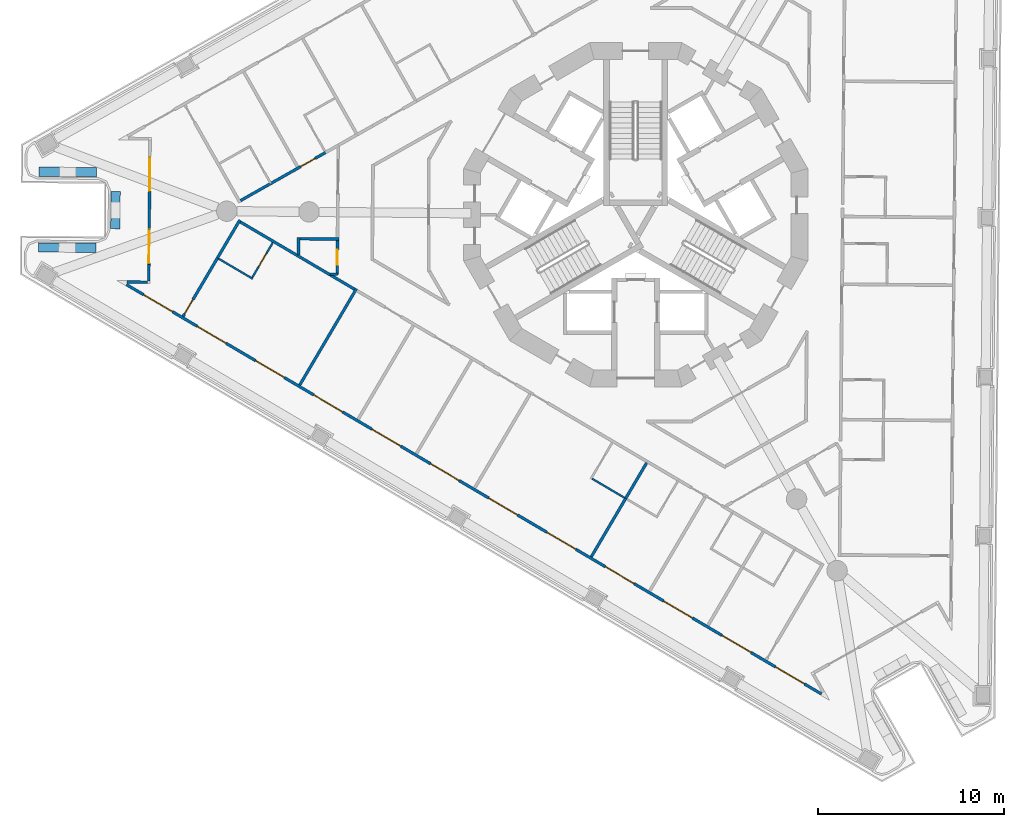
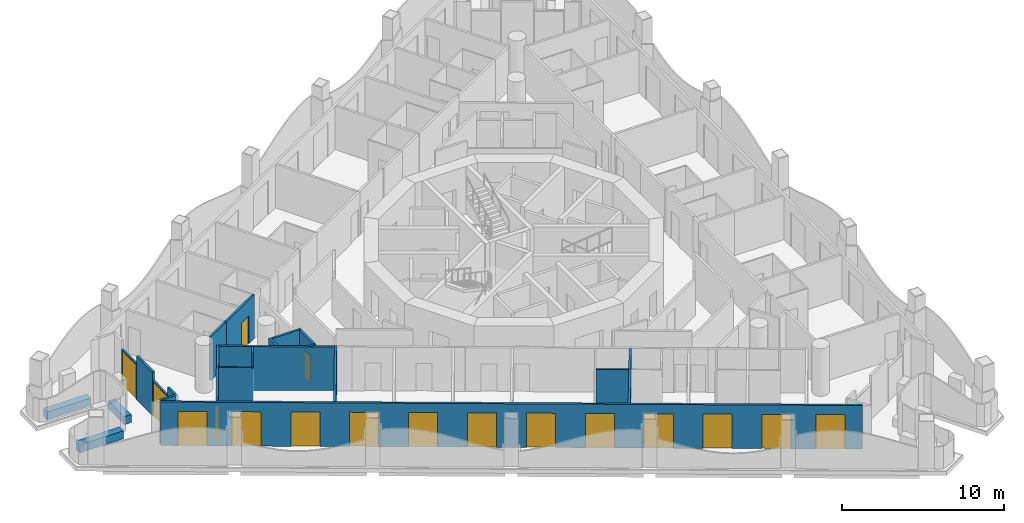
# One storey, part 2 of 17: 24 walls, 18 doors, 18 openings.
"""IFC4 building model written with IfcOpenShell, lengths in metres."""

from ifc_helpers import new_model, si_unit, direction, frame, frame_2d, origin, place, context, subcontext, project, spatial, polyline, rectangle, outline, extrude, material, layer, layer_set, type_object, element, fill, save


model = new_model("IFC4")

# Units and contexts
model_context = context("Model", 3, precision=1e-05, world=origin(), true_north=direction((0.0, 1.0)))
body_context = subcontext(model_context, "Body", "Model", "MODEL_VIEW")
ifc_project = project(units=[si_unit("LENGTHUNIT", "METRE"), si_unit("AREAUNIT", "SQUARE_METRE"), si_unit("VOLUMEUNIT", "CUBIC_METRE"), si_unit("PLANEANGLEUNIT", "RADIAN"), si_unit("MASSUNIT", "GRAM", prefix="KILO")], contexts=[model_context])

# Site, building, storey
site_placement = place(None, origin())
site = spatial("IfcSite", under=ifc_project, at=site_placement, CompositionType="ELEMENT")
building_placement = place(site_placement, origin())
building = spatial("IfcBuilding", under=site, at=building_placement, Name="Trine Commons Tower", CompositionType="ELEMENT")
storey_placement = place(building_placement, frame((0.0, 0.0, 186.300048828125)))
storey = spatial("IfcBuildingStorey", under=building, at=storey_placement, Name="L48", CompositionType="ELEMENT", Elevation=186.300048828125)

# Walls
ifc_material_1 = material(Name="Aluminium-framed insulated wall panel", Category="aluminium")
ifc_layer_1 = layer(ifc_material_1, 0.14990234375)
ifc_layer_set_1 = layer_set([ifc_layer_1], Name="Aluminium-framed insulated wall panel")
wall_type_1 = type_object("IfcWallType", Name="Glazed frame wall 150, EI 60", PredefinedType="SOLIDWALL", material=ifc_layer_set_1)
wall_1_placement = place(storey_placement, frame((52.447265625, 58.875244140625, 0.0), z_axis=(0.0, 0.0, 1.0), x_axis=(0.999962043845, -0.008712684354, 0.0)))
element("IfcWall", 1, at=wall_1_placement, inside=storey, type_object=wall_type_1, Name="Glazed frame wall R1", PredefinedType="SOLIDWALL", context=body_context, shape_type="SweptSolid", body=[
    extrude(outline(polyline([(0.1494140625, 0.074951171875), (0.1494140625, -0.074951171875), (1.235107421875, -0.074951171875), (1.235107421875, 0.074951171875), (0.1494140625, 0.074951171875)])), origin(), (0.0, 0.0, 1.0), 3.300048828125),
])
wall_2_placement = place(storey_placement, frame((53.7568359375, 58.828857421875, 0.0), z_axis=(0.0, 0.0, 1.0), x_axis=(0.008788723053, 0.999961378428, 0.0)))
element("IfcWall", 2, at=wall_2_placement, inside=storey, type_object=wall_type_1, Name="Glazed frame wall P1.1", PredefinedType="SOLIDWALL", context=body_context, shape_type="SweptSolid", body=[
    extrude(outline(polyline([(0.110107421875, -0.074951171875), (1.0, -0.074951171875), (1.0, 0.074951171875), (0.110107421875, 0.074951171875), (0.110107421875, -0.074951171875)])), origin(), (0.0, 0.0, 1.0), 3.300048828125),
])

# Wall, opening, door
wall_3_placement = place(storey_placement, frame((53.765625, 59.828857421875, 0.0), z_axis=(0.0, 0.0, 1.0), x_axis=(0.008737780017, 0.999961824872, 0.0)))
wall_3 = element("IfcWall", 3, at=wall_3_placement, inside=storey, type_object=wall_type_1, Name="Glazed frame wall P1.2", PredefinedType="SOLIDWALL", context=body_context, shape_type="SweptSolid", body=[
    extrude(outline(polyline([(0.0, -0.074951171875), (1.89990234375, -0.074951171875), (1.89990234375, 0.074951171875), (0.0, 0.074951171875), (0.0, -0.074951171875)])), origin(), (0.0, 0.0, 1.0), 2.64990234375),
])
opening_1_placement = place(wall_3_placement, frame((0.050048828125, 0.0, 0.0)))
opening_1 = element("IfcOpeningElement", 4, at=opening_1_placement, cuts=wall_3, Name="Opening BD-5P1-01", PredefinedType="OPENING", context=body_context, shape_type="SweptSolid", body=[
    extrude(rectangle(XDim=1.800048828125, YDim=2.60009765625, at=frame_2d((0.89990234375, 1.300048828125))), frame((0.0, 0.0849609375, 0.0), z_axis=(0.0, -1.0, 0.0), x_axis=(1.0, 0.0, 0.0)), (0.0, 0.0, 1.0), 0.169921875),
])
ifc_material_2 = material(Name="Anodised aluminium frame with double glazing", Category="aluminium")
door_type_1 = type_object("IfcDoorType", Name="Sliding loggia door 1800x2600", OperationType="SLIDING_TO_LEFT", PredefinedType="DOOR", material=ifc_material_2)
door_1_placement = place(opening_1_placement, origin())
door_1 = element("IfcDoor", 5, at=door_1_placement, inside=storey, type_object=door_type_1, Name="Loggia door P1 1", OperationType="SLIDING_TO_LEFT", OverallHeight=2.60009765625, OverallWidth=1.800048828125, PredefinedType="DOOR", context=body_context, shape_type="SweptSolid", body=[
    extrude(rectangle(XDim=1.800048828125, YDim=2.60009765625, at=frame_2d((0.89990234375, 1.300048828125))), frame((0.0, 0.02490234375, 0.0), z_axis=(0.0, -1.0, 0.0), x_axis=(1.0, 0.0, 0.0)), (0.0, 0.0, 1.0), 0.050048828125),
])
fill(opening_1, door_1)

# Wall
wall_4_placement = place(storey_placement, frame((53.7822265625, 61.728759765625, 0.0), z_axis=(0.0, 0.0, 1.0), x_axis=(0.008788723053, 0.999961378428, 0.0)))
element("IfcWall", 6, at=wall_4_placement, inside=storey, type_object=wall_type_1, Name="Glazed frame wall P1.3", PredefinedType="SOLIDWALL", context=body_context, shape_type="SweptSolid", body=[
    extrude(outline(polyline([(0.0, -0.074951171875), (2.0, -0.074951171875), (2.0, 0.074951171875), (0.0, 0.074951171875), (0.0, -0.074951171875)])), origin(), (0.0, 0.0, 1.0), 3.300048828125),
])

# Wall, opening, door
wall_5_placement = place(storey_placement, frame((53.7998046875, 63.728759765625, 0.0), z_axis=(0.0, 0.0, 1.0), x_axis=(0.008609292847, 0.999962939352, 0.0)))
wall_5 = element("IfcWall", 7, at=wall_5_placement, inside=storey, type_object=wall_type_1, Name="Glazed frame wall P1.4", PredefinedType="SOLIDWALL", context=body_context, shape_type="SweptSolid", body=[
    extrude(outline(polyline([(0.0, -0.074951171875), (1.89990234375, -0.074951171875), (1.89990234375, 0.074951171875), (0.0, 0.074951171875), (0.0, -0.074951171875)])), origin(), (0.0, 0.0, 1.0), 2.64990234375),
])
opening_2_placement = place(wall_5_placement, frame((0.050048828125, 0.0, 0.0)))
opening_2 = element("IfcOpeningElement", 8, at=opening_2_placement, cuts=wall_5, Name="Opening BD-5P1-02", PredefinedType="OPENING", context=body_context, shape_type="SweptSolid", body=[
    extrude(rectangle(XDim=1.800048828125, YDim=2.60009765625, at=frame_2d((0.89990234375, 1.300048828125))), frame((0.0, 0.0849609375, 0.0), z_axis=(0.0, -1.0, 0.0), x_axis=(1.0, 0.0, 0.0)), (0.0, 0.0, 1.0), 0.169921875),
])
door_2_placement = place(opening_2_placement, origin())
door_2 = element("IfcDoor", 9, at=door_2_placement, inside=storey, type_object=door_type_1, Name="Loggia door P1 2", OperationType="SLIDING_TO_LEFT", OverallHeight=2.60009765625, OverallWidth=1.800048828125, PredefinedType="DOOR", context=body_context, shape_type="SweptSolid", body=[
    extrude(rectangle(XDim=1.800048828125, YDim=2.60009765625, at=frame_2d((0.89990234375, 1.300048828125))), frame((0.0, 0.02490234375, 0.0), z_axis=(0.0, -1.0, 0.0), x_axis=(1.0, 0.0, 0.0)), (0.0, 0.0, 1.0), 0.050048828125),
])
fill(opening_2, door_2)

# Wall, openings, doors
wall_6_placement = place(storey_placement, frame((90.139404296875, 36.59716796875, 0.0), z_axis=(0.0, 0.0, 1.0), x_axis=(-0.861630336939, 0.507536365659, 0.0)))
wall_6 = element("IfcWall", 10, at=wall_6_placement, inside=storey, type_object=wall_type_1, Name="Glazed frame wall F3", PredefinedType="SOLIDWALL", context=body_context, shape_type="SweptSolid", body=[
    extrude(outline(polyline([(0.1494140625, 0.074951171875), (0.1494140625, -0.074951171875), (43.616943359375, -0.074951171875), (43.616943359375, 0.074951171875), (0.1494140625, 0.074951171875)])), origin(), (0.0, 0.0, 1.0), 3.300048828125),
])
opening_3_placement = place(wall_6_placement, frame((1.2236328125, 0.0, 0.0)))
opening_3 = element("IfcOpeningElement", 11, at=opening_3_placement, cuts=wall_6, Name="Opening BD-5F3-01", PredefinedType="OPENING", context=body_context, shape_type="SweptSolid", body=[
    extrude(rectangle(XDim=1.800048828125, YDim=2.60009765625, at=frame_2d((0.89990234375, 1.300048828125))), frame((0.0, 0.0849609375, 0.0), z_axis=(0.0, -1.0, 0.0), x_axis=(1.0, 0.0, 0.0)), (0.0, 0.0, 1.0), 0.169921875),
])
opening_4_placement = place(wall_6_placement, frame((4.57080078125, 0.0, 0.0)))
opening_4 = element("IfcOpeningElement", 12, at=opening_4_placement, cuts=wall_6, Name="Opening BD-5F3-02", PredefinedType="OPENING", context=body_context, shape_type="SweptSolid", body=[
    extrude(rectangle(XDim=1.800048828125, YDim=2.60009765625, at=frame_2d((0.89990234375, 1.300048828125))), frame((0.0, 0.0849609375, 0.0), z_axis=(0.0, -1.0, 0.0), x_axis=(1.0, 0.0, 0.0)), (0.0, 0.0, 1.0), 0.169921875),
])
opening_5_placement = place(wall_6_placement, frame((8.218017578125, 0.0, 0.0)))
opening_5 = element("IfcOpeningElement", 13, at=opening_5_placement, cuts=wall_6, Name="Opening BD-5F3-03", PredefinedType="OPENING", context=body_context, shape_type="SweptSolid", body=[
    extrude(rectangle(XDim=1.800048828125, YDim=2.60009765625, at=frame_2d((0.89990234375, 1.300048828125))), frame((0.0, 0.0849609375, 0.0), z_axis=(0.0, -1.0, 0.0), x_axis=(1.0, 0.0, 0.0)), (0.0, 0.0, 1.0), 0.169921875),
])
opening_6_placement = place(wall_6_placement, frame((11.865234375, 0.0, 0.0)))
opening_6 = element("IfcOpeningElement", 14, at=opening_6_placement, cuts=wall_6, Name="Opening BD-5F3-04", PredefinedType="OPENING", context=body_context, shape_type="SweptSolid", body=[
    extrude(rectangle(XDim=1.800048828125, YDim=2.60009765625, at=frame_2d((0.89990234375, 1.300048828125))), frame((0.0, 0.0849609375, 0.0), z_axis=(0.0, -1.0, 0.0), x_axis=(1.0, 0.0, 0.0)), (0.0, 0.0, 1.0), 0.169921875),
])
opening_7_placement = place(wall_6_placement, frame((15.512451171875, 0.0, 0.0)))
opening_7 = element("IfcOpeningElement", 15, at=opening_7_placement, cuts=wall_6, Name="Opening BD-5F3-05", PredefinedType="OPENING", context=body_context, shape_type="SweptSolid", body=[
    extrude(rectangle(XDim=1.800048828125, YDim=2.60009765625, at=frame_2d((0.89990234375, 1.300048828125))), frame((0.0, 0.0849609375, 0.0), z_axis=(0.0, -1.0, 0.0), x_axis=(1.0, 0.0, 0.0)), (0.0, 0.0, 1.0), 0.169921875),
])
opening_8_placement = place(wall_6_placement, frame((19.15966796875, 0.0, 0.0)))
opening_8 = element("IfcOpeningElement", 16, at=opening_8_placement, cuts=wall_6, Name="Opening BD-5F3-06", PredefinedType="OPENING", context=body_context, shape_type="SweptSolid", body=[
    extrude(rectangle(XDim=1.800048828125, YDim=2.60009765625, at=frame_2d((0.89990234375, 1.300048828125))), frame((0.0, 0.0849609375, 0.0), z_axis=(0.0, -1.0, 0.0), x_axis=(1.0, 0.0, 0.0)), (0.0, 0.0, 1.0), 0.169921875),
])
opening_9_placement = place(wall_6_placement, frame((22.806884765625, 0.0, 0.0)))
opening_9 = element("IfcOpeningElement", 17, at=opening_9_placement, cuts=wall_6, Name="Opening BD-5F3-07", PredefinedType="OPENING", context=body_context, shape_type="SweptSolid", body=[
    extrude(rectangle(XDim=1.800048828125, YDim=2.60009765625, at=frame_2d((0.89990234375, 1.300048828125))), frame((0.0, 0.0849609375, 0.0), z_axis=(0.0, -1.0, 0.0), x_axis=(1.0, 0.0, 0.0)), (0.0, 0.0, 1.0), 0.169921875),
])
opening_10_placement = place(wall_6_placement, frame((26.4541015625, 0.0, 0.0)))
opening_10 = element("IfcOpeningElement", 18, at=opening_10_placement, cuts=wall_6, Name="Opening BD-5F3-08", PredefinedType="OPENING", context=body_context, shape_type="SweptSolid", body=[
    extrude(rectangle(XDim=1.800048828125, YDim=2.60009765625, at=frame_2d((0.89990234375, 1.300048828125))), frame((0.0, 0.0849609375, 0.0), z_axis=(0.0, -1.0, 0.0), x_axis=(1.0, 0.0, 0.0)), (0.0, 0.0, 1.0), 0.169921875),
])
opening_11_placement = place(wall_6_placement, frame((30.101318359375, 0.0, 0.0)))
opening_11 = element("IfcOpeningElement", 19, at=opening_11_placement, cuts=wall_6, Name="Opening BD-5F3-09", PredefinedType="OPENING", context=body_context, shape_type="SweptSolid", body=[
    extrude(rectangle(XDim=1.800048828125, YDim=2.60009765625, at=frame_2d((0.89990234375, 1.300048828125))), frame((0.0, 0.0849609375, 0.0), z_axis=(0.0, -1.0, 0.0), x_axis=(1.0, 0.0, 0.0)), (0.0, 0.0, 1.0), 0.169921875),
])
opening_12_placement = place(wall_6_placement, frame((33.748291015625, 0.0, 0.0)))
opening_12 = element("IfcOpeningElement", 20, at=opening_12_placement, cuts=wall_6, Name="Opening BD-5F3-10", PredefinedType="OPENING", context=body_context, shape_type="SweptSolid", body=[
    extrude(rectangle(XDim=1.800048828125, YDim=2.60009765625, at=frame_2d((0.89990234375, 1.300048828125))), frame((0.0, 0.0849609375, 0.0), z_axis=(0.0, -1.0, 0.0), x_axis=(1.0, 0.0, 0.0)), (0.0, 0.0, 1.0), 0.169921875),
])
opening_13_placement = place(wall_6_placement, frame((37.3955078125, 0.0, 0.0)))
opening_13 = element("IfcOpeningElement", 21, at=opening_13_placement, cuts=wall_6, Name="Opening BD-5F3-11", PredefinedType="OPENING", context=body_context, shape_type="SweptSolid", body=[
    extrude(rectangle(XDim=1.800048828125, YDim=2.60009765625, at=frame_2d((0.89990234375, 1.300048828125))), frame((0.0, 0.0849609375, 0.0), z_axis=(0.0, -1.0, 0.0), x_axis=(1.0, 0.0, 0.0)), (0.0, 0.0, 1.0), 0.169921875),
])
opening_14_placement = place(wall_6_placement, frame((40.742919921875, 0.0, 0.0)))
opening_14 = element("IfcOpeningElement", 22, at=opening_14_placement, cuts=wall_6, Name="Opening BD-5F3-12", PredefinedType="OPENING", context=body_context, shape_type="SweptSolid", body=[
    extrude(rectangle(XDim=1.800048828125, YDim=2.60009765625, at=frame_2d((0.89990234375, 1.300048828125))), frame((0.0, 0.0849609375, 0.0), z_axis=(0.0, -1.0, 0.0), x_axis=(1.0, 0.0, 0.0)), (0.0, 0.0, 1.0), 0.169921875),
])
door_3_placement = place(opening_3_placement, origin())
door_3 = element("IfcDoor", 23, at=door_3_placement, inside=storey, type_object=door_type_1, Name="Loggia door F3 1", OperationType="SLIDING_TO_LEFT", OverallHeight=2.60009765625, OverallWidth=1.800048828125, PredefinedType="DOOR", context=body_context, shape_type="SweptSolid", body=[
    extrude(rectangle(XDim=1.800048828125, YDim=2.60009765625, at=frame_2d((0.89990234375, 1.300048828125))), frame((0.0, 0.02490234375, 0.0), z_axis=(0.0, -1.0, 0.0), x_axis=(1.0, 0.0, 0.0)), (0.0, 0.0, 1.0), 0.050048828125),
])
fill(opening_3, door_3)
door_4_placement = place(opening_4_placement, origin())
door_4 = element("IfcDoor", 24, at=door_4_placement, inside=storey, type_object=door_type_1, Name="Loggia door F3 2", OperationType="SLIDING_TO_LEFT", OverallHeight=2.60009765625, OverallWidth=1.800048828125, PredefinedType="DOOR", context=body_context, shape_type="SweptSolid", body=[
    extrude(rectangle(XDim=1.800048828125, YDim=2.60009765625, at=frame_2d((0.89990234375, 1.300048828125))), frame((0.0, 0.02490234375, 0.0), z_axis=(0.0, -1.0, 0.0), x_axis=(1.0, 0.0, 0.0)), (0.0, 0.0, 1.0), 0.050048828125),
])
fill(opening_4, door_4)
door_5_placement = place(opening_5_placement, origin())
door_5 = element("IfcDoor", 25, at=door_5_placement, inside=storey, type_object=door_type_1, Name="Loggia door F3 3", OperationType="SLIDING_TO_LEFT", OverallHeight=2.60009765625, OverallWidth=1.800048828125, PredefinedType="DOOR", context=body_context, shape_type="SweptSolid", body=[
    extrude(rectangle(XDim=1.800048828125, YDim=2.60009765625, at=frame_2d((0.89990234375, 1.300048828125))), frame((0.0, 0.02490234375, 0.0), z_axis=(0.0, -1.0, 0.0), x_axis=(1.0, 0.0, 0.0)), (0.0, 0.0, 1.0), 0.050048828125),
])
fill(opening_5, door_5)
door_6_placement = place(opening_6_placement, origin())
door_6 = element("IfcDoor", 26, at=door_6_placement, inside=storey, type_object=door_type_1, Name="Loggia door F3 4", OperationType="SLIDING_TO_LEFT", OverallHeight=2.60009765625, OverallWidth=1.800048828125, PredefinedType="DOOR", context=body_context, shape_type="SweptSolid", body=[
    extrude(rectangle(XDim=1.800048828125, YDim=2.60009765625, at=frame_2d((0.89990234375, 1.300048828125))), frame((0.0, 0.02490234375, 0.0), z_axis=(0.0, -1.0, 0.0), x_axis=(1.0, 0.0, 0.0)), (0.0, 0.0, 1.0), 0.050048828125),
])
fill(opening_6, door_6)
door_7_placement = place(opening_7_placement, origin())
door_7 = element("IfcDoor", 27, at=door_7_placement, inside=storey, type_object=door_type_1, Name="Loggia door F3 5", OperationType="SLIDING_TO_LEFT", OverallHeight=2.60009765625, OverallWidth=1.800048828125, PredefinedType="DOOR", context=body_context, shape_type="SweptSolid", body=[
    extrude(rectangle(XDim=1.800048828125, YDim=2.60009765625, at=frame_2d((0.89990234375, 1.300048828125))), frame((0.0, 0.02490234375, 0.0), z_axis=(0.0, -1.0, 0.0), x_axis=(1.0, 0.0, 0.0)), (0.0, 0.0, 1.0), 0.050048828125),
])
fill(opening_7, door_7)
door_8_placement = place(opening_8_placement, origin())
door_8 = element("IfcDoor", 28, at=door_8_placement, inside=storey, type_object=door_type_1, Name="Loggia door F3 6", OperationType="SLIDING_TO_LEFT", OverallHeight=2.60009765625, OverallWidth=1.800048828125, PredefinedType="DOOR", context=body_context, shape_type="SweptSolid", body=[
    extrude(rectangle(XDim=1.800048828125, YDim=2.60009765625, at=frame_2d((0.89990234375, 1.300048828125))), frame((0.0, 0.02490234375, 0.0), z_axis=(0.0, -1.0, 0.0), x_axis=(1.0, 0.0, 0.0)), (0.0, 0.0, 1.0), 0.050048828125),
])
fill(opening_8, door_8)
door_9_placement = place(opening_9_placement, origin())
door_9 = element("IfcDoor", 29, at=door_9_placement, inside=storey, type_object=door_type_1, Name="Loggia door F3 7", OperationType="SLIDING_TO_LEFT", OverallHeight=2.60009765625, OverallWidth=1.800048828125, PredefinedType="DOOR", context=body_context, shape_type="SweptSolid", body=[
    extrude(rectangle(XDim=1.800048828125, YDim=2.60009765625, at=frame_2d((0.89990234375, 1.300048828125))), frame((0.0, 0.02490234375, 0.0), z_axis=(0.0, -1.0, 0.0), x_axis=(1.0, 0.0, 0.0)), (0.0, 0.0, 1.0), 0.050048828125),
])
fill(opening_9, door_9)
door_10_placement = place(opening_10_placement, origin())
door_10 = element("IfcDoor", 30, at=door_10_placement, inside=storey, type_object=door_type_1, Name="Loggia door F3 8", OperationType="SLIDING_TO_LEFT", OverallHeight=2.60009765625, OverallWidth=1.800048828125, PredefinedType="DOOR", context=body_context, shape_type="SweptSolid", body=[
    extrude(rectangle(XDim=1.800048828125, YDim=2.60009765625, at=frame_2d((0.89990234375, 1.300048828125))), frame((0.0, 0.02490234375, 0.0), z_axis=(0.0, -1.0, 0.0), x_axis=(1.0, 0.0, 0.0)), (0.0, 0.0, 1.0), 0.050048828125),
])
fill(opening_10, door_10)
door_11_placement = place(opening_11_placement, origin())
door_11 = element("IfcDoor", 31, at=door_11_placement, inside=storey, type_object=door_type_1, Name="Loggia door F3 9", OperationType="SLIDING_TO_LEFT", OverallHeight=2.60009765625, OverallWidth=1.800048828125, PredefinedType="DOOR", context=body_context, shape_type="SweptSolid", body=[
    extrude(rectangle(XDim=1.800048828125, YDim=2.60009765625, at=frame_2d((0.89990234375, 1.300048828125))), frame((0.0, 0.02490234375, 0.0), z_axis=(0.0, -1.0, 0.0), x_axis=(1.0, 0.0, 0.0)), (0.0, 0.0, 1.0), 0.050048828125),
])
fill(opening_11, door_11)
door_12_placement = place(opening_12_placement, origin())
door_12 = element("IfcDoor", 32, at=door_12_placement, inside=storey, type_object=door_type_1, Name="Loggia door F3 10", OperationType="SLIDING_TO_LEFT", OverallHeight=2.60009765625, OverallWidth=1.800048828125, PredefinedType="DOOR", context=body_context, shape_type="SweptSolid", body=[
    extrude(rectangle(XDim=1.800048828125, YDim=2.60009765625, at=frame_2d((0.89990234375, 1.300048828125))), frame((0.0, 0.02490234375, 0.0), z_axis=(0.0, -1.0, 0.0), x_axis=(1.0, 0.0, 0.0)), (0.0, 0.0, 1.0), 0.050048828125),
])
fill(opening_12, door_12)
door_13_placement = place(opening_13_placement, origin())
door_13 = element("IfcDoor", 33, at=door_13_placement, inside=storey, type_object=door_type_1, Name="Loggia door F3 11", OperationType="SLIDING_TO_LEFT", OverallHeight=2.60009765625, OverallWidth=1.800048828125, PredefinedType="DOOR", context=body_context, shape_type="SweptSolid", body=[
    extrude(rectangle(XDim=1.800048828125, YDim=2.60009765625, at=frame_2d((0.89990234375, 1.300048828125))), frame((0.0, 0.02490234375, 0.0), z_axis=(0.0, -1.0, 0.0), x_axis=(1.0, 0.0, 0.0)), (0.0, 0.0, 1.0), 0.050048828125),
])
fill(opening_13, door_13)
door_14_placement = place(opening_14_placement, origin())
door_14 = element("IfcDoor", 34, at=door_14_placement, inside=storey, type_object=door_type_1, Name="Loggia door F3 12", OperationType="SLIDING_TO_LEFT", OverallHeight=2.60009765625, OverallWidth=1.800048828125, PredefinedType="DOOR", context=body_context, shape_type="SweptSolid", body=[
    extrude(rectangle(XDim=1.800048828125, YDim=2.60009765625, at=frame_2d((0.89990234375, 1.300048828125))), frame((0.0, 0.02490234375, 0.0), z_axis=(0.0, -1.0, 0.0), x_axis=(1.0, 0.0, 0.0)), (0.0, 0.0, 1.0), 0.050048828125),
])
fill(opening_14, door_14)

# Walls
ifc_material_3 = material(Name="Planter trough, precast concrete C40/50", Category="concrete")
ifc_layer_2 = layer(ifc_material_3, 0.5)
ifc_layer_set_2 = layer_set([ifc_layer_2], Name="Planter trough, precast concrete C40/50")
wall_type_2 = type_object("IfcWallType", Name="Planter trough 500x600", PredefinedType="PARAPET", material=ifc_layer_set_2)
wall_7_placement = place(storey_placement, frame((47.808349609375, 60.74072265625, 0.0), z_axis=(0.0, 0.0, 1.0), x_axis=(0.99996247431, -0.008663138708, 0.0)))
element("IfcWall", 35, at=wall_7_placement, inside=storey, type_object=wall_type_2, Name="Planter 1", PredefinedType="PARAPET", context=body_context, shape_type="SweptSolid", body=[
    extrude(rectangle(XDim=3.099853515625, YDim=0.5, at=frame_2d((1.5498046875, 0.0))), origin(), (0.0, 0.0, 1.0), 0.599853515625),
])
wall_8_placement = place(storey_placement, frame((51.957275390625, 61.74462890625, 0.0), z_axis=(0.0, 0.0, 1.0), x_axis=(0.008666666688, 0.999962443739, 0.0)))
element("IfcWall", 36, at=wall_8_placement, inside=storey, type_object=wall_type_2, Name="Planter 2", PredefinedType="PARAPET", context=body_context, shape_type="SweptSolid", body=[
    extrude(rectangle(XDim=2.0, YDim=0.5, at=frame_2d((1.0, 0.0))), origin(), (0.0, 0.0, 1.0), 0.599853515625),
])
wall_9_placement = place(storey_placement, frame((50.94384765625, 64.793701171875, 0.0), z_axis=(0.0, 0.0, 1.0), x_axis=(-0.999961788962, 0.008741888523, 0.0)))
element("IfcWall", 37, at=wall_9_placement, inside=storey, type_object=wall_type_2, Name="Planter 3", PredefinedType="PARAPET", context=body_context, shape_type="SweptSolid", body=[
    extrude(rectangle(XDim=3.099853515625, YDim=0.5, at=frame_2d((1.5498046875, 0.0))), origin(), (0.0, 0.0, 1.0), 0.599853515625),
])

# Wall, opening, door
ifc_material_4 = material(Name="Gypsum plasterboard on steel stud", Category="steel")
ifc_layer_3 = layer(ifc_material_4, 0.14990234375)
ifc_layer_set_3 = layer_set([ifc_layer_3], Name="Gypsum plasterboard on steel stud")
wall_type_3 = type_object("IfcWallType", Name="Unit and corridor wall 150 mm, EI 60", PredefinedType="PARTITIONING", material=ifc_layer_set_3)
wall_10_placement = place(storey_placement, frame((55.609375, 57.0234375, 0.0), z_axis=(0.0, 0.0, 1.0), x_axis=(0.507673958325, 0.861549274295, 0.0)))
wall_10 = element("IfcWall", 38, at=wall_10_placement, inside=storey, type_object=wall_type_3, Name="Partition 001", PredefinedType="PARTITIONING", context=body_context, shape_type="SweptSolid", body=[
    extrude(rectangle(XDim=3.703369140625, YDim=0.14990234375, at=frame_2d((1.8515625, 0.0))), origin(), (0.0, 0.0, 1.0), 3.300048828125),
])
opening_15_placement = place(wall_10_placement, frame((0.14990234375, 0.0, 0.0)))
opening_15 = element("IfcOpeningElement", 39, at=opening_15_placement, cuts=wall_10, Name="Opening D-5C27", PredefinedType="OPENING", context=body_context, shape_type="SweptSolid", body=[
    extrude(rectangle(XDim=0.89990234375, YDim=2.10009765625, at=frame_2d((0.449951171875, 1.050048828125))), frame((0.0, 0.0849609375, 0.0), z_axis=(0.0, -1.0, 0.0), x_axis=(1.0, 0.0, 0.0)), (0.0, 0.0, 1.0), 0.169921875),
])
ifc_material_5 = material(Name="Timber fire door set", Category="wood")
door_type_2 = type_object("IfcDoorType", Name="Bedroom door 900 x 2100, FD30S", OperationType="NOTDEFINED", PredefinedType="DOOR", material=ifc_material_5)
door_15_placement = place(opening_15_placement, frame((0.89990234375, 0.0, 0.0), z_axis=(0.0, 0.0, 1.0), x_axis=(-1.0, 0.0, 0.0)))
door_15 = element("IfcDoor", 40, at=door_15_placement, inside=storey, type_object=door_type_2, Name="Door D-5C27", OperationType="SINGLE_SWING_RIGHT", OverallHeight=2.10009765625, OverallWidth=0.89990234375, PredefinedType="DOOR", context=body_context, shape_type="SweptSolid", body=[
    extrude(rectangle(XDim=0.89990234375, YDim=2.10009765625, at=frame_2d((0.449951171875, 1.050048828125))), frame((0.0, 0.02490234375, 0.0), z_axis=(0.0, -1.0, 0.0), x_axis=(1.0, 0.0, 0.0)), (0.0, 0.0, 1.0), 0.050048828125),
])
fill(opening_15, door_15)

# Walls
wall_11_placement = place(storey_placement, frame((57.4599609375, 60.1650390625, 0.0), z_axis=(0.0, 0.0, 1.0), x_axis=(0.507459651278, 0.861675520323, 0.0)))
element("IfcWall", 41, at=wall_11_placement, inside=storey, type_object=wall_type_3, Name="Partition 003", PredefinedType="PARTITIONING", context=body_context, shape_type="SweptSolid", body=[
    extrude(rectangle(XDim=2.378662109375, YDim=0.14990234375, at=frame_2d((1.189453125, 0.0))), origin(), (0.0, 0.0, 1.0), 3.300048828125),
])
wall_12_placement = place(storey_placement, frame((58.693603515625, 62.11181640625, 0.0), z_axis=(0.0, 0.0, 1.0), x_axis=(0.861634282469, -0.507529667383, 0.0)))
element("IfcWall", 42, at=wall_12_placement, inside=storey, type_object=wall_type_3, Name="Partition 006", PredefinedType="PARTITIONING", context=body_context, shape_type="SweptSolid", body=[
    extrude(rectangle(XDim=7.22265625, YDim=0.14990234375, at=frame_2d((3.611328125, 0.0))), origin(), (0.0, 0.0, 1.0), 3.300048828125),
])
wall_13_placement = place(storey_placement, frame((58.704345703125, 63.260009765625, 0.0), z_axis=(0.0, 0.0, 1.0), x_axis=(0.870323079534, 0.492481204951, 0.0)))
element("IfcWall", 43, at=wall_13_placement, inside=storey, type_object=wall_type_3, Name="Partition 007", PredefinedType="PARTITIONING", context=body_context, shape_type="SweptSolid", body=[
    extrude(rectangle(XDim=1.87841796875, YDim=0.14990234375, at=frame_2d((0.939208984375, 0.0))), origin(), (0.0, 0.0, 1.0), 3.300048828125),
])

# Wall, opening, door
wall_14_placement = place(storey_placement, frame((60.3330078125, 64.180908203125, 0.0), z_axis=(0.0, 0.0, 1.0), x_axis=(0.870177889585, 0.492737699468, 0.0)))
wall_14 = element("IfcWall", 44, at=wall_14_placement, inside=storey, type_object=wall_type_3, Name="Partition 011", PredefinedType="PARTITIONING", context=body_context, shape_type="SweptSolid", body=[
    extrude(rectangle(XDim=3.451416015625, YDim=0.14990234375, at=frame_2d((1.7255859375, 0.0))), origin(), (0.0, 0.0, 1.0), 3.300048828125),
])
opening_16_placement = place(wall_14_placement, frame((1.850830078125, 0.0, 0.0)))
opening_16 = element("IfcOpeningElement", 45, at=opening_16_placement, cuts=wall_14, Name="Opening D-5C07", PredefinedType="OPENING", context=body_context, shape_type="SweptSolid", body=[
    extrude(rectangle(XDim=0.89990234375, YDim=2.10009765625, at=frame_2d((0.449951171875, 1.050048828125))), frame((0.0, 0.0849609375, 0.0), z_axis=(0.0, -1.0, 0.0), x_axis=(1.0, 0.0, 0.0)), (0.0, 0.0, 1.0), 0.169921875),
])
door_16_placement = place(opening_16_placement, origin())
door_16 = element("IfcDoor", 46, at=door_16_placement, inside=storey, type_object=door_type_2, Name="Door D-5C07", OperationType="SINGLE_SWING_RIGHT", OverallHeight=2.10009765625, OverallWidth=0.89990234375, PredefinedType="DOOR", context=body_context, shape_type="SweptSolid", body=[
    extrude(rectangle(XDim=0.89990234375, YDim=2.10009765625, at=frame_2d((0.449951171875, 1.050048828125))), frame((0.0, 0.02490234375, 0.0), z_axis=(0.0, -1.0, 0.0), x_axis=(1.0, 0.0, 0.0)), (0.0, 0.0, 1.0), 0.050048828125),
])
fill(opening_16, door_16)

# Walls
wall_15_placement = place(storey_placement, frame((61.82568359375, 60.343017578125, 0.0), z_axis=(0.0, 0.0, 1.0), x_axis=(0.008337386084, 0.999965243393, 0.0)))
element("IfcWall", 47, at=wall_15_placement, inside=storey, type_object=wall_type_3, Name="Partition 012", PredefinedType="PARTITIONING", context=body_context, shape_type="SweptSolid", body=[
    extrude(rectangle(XDim=0.93701171875, YDim=0.14990234375, at=frame_2d((0.468505859375, 0.0))), origin(), (0.0, 0.0, 1.0), 3.300048828125),
])
wall_16_placement = place(storey_placement, frame((61.907958984375, 61.204345703125, 0.0), z_axis=(0.0, 0.0, 1.0), x_axis=(0.999962964822, -0.008606333961, 0.0)))
element("IfcWall", 48, at=wall_16_placement, inside=storey, type_object=wall_type_3, Name="Partition 013", PredefinedType="PARTITIONING", context=body_context, shape_type="SweptSolid", body=[
    extrude(rectangle(XDim=2.09912109375, YDim=0.14990234375, at=frame_2d((1.049560546875, 0.0))), origin(), (0.0, 0.0, 1.0), 3.300048828125),
])
wall_17_placement = place(storey_placement, frame((61.894287109375, 53.321533203125, 0.0), z_axis=(0.0, 0.0, 1.0), x_axis=(0.507542448837, 0.861626753663, 0.0)))
element("IfcWall", 49, at=wall_17_placement, inside=storey, type_object=wall_type_3, Name="Partition 014", PredefinedType="PARTITIONING", context=body_context, shape_type="SweptSolid", body=[
    extrude(rectangle(XDim=6.02490234375, YDim=0.14990234375, at=frame_2d((3.012451171875, 0.0))), origin(), (0.0, 0.0, 1.0), 3.300048828125),
])
wall_18_placement = place(storey_placement, frame((63.537109375, 59.29052734375, 0.0), z_axis=(0.0, 0.0, 1.0), x_axis=(0.99995807265, -0.009157125207, 0.0)))
element("IfcWall", 50, at=wall_18_placement, inside=storey, type_object=wall_type_3, Name="Partition 019", PredefinedType="PARTITIONING", context=body_context, shape_type="SweptSolid", body=[
    extrude(rectangle(XDim=0.39990234375, YDim=0.14990234375, at=frame_2d((0.199951171875, 0.0))), origin(), (0.0, 0.0, 1.0), 3.300048828125),
])

# Wall, opening, door
wall_19_placement = place(storey_placement, frame((63.916015625, 59.282958984375, 0.0), z_axis=(0.0, 0.0, 1.0), x_axis=(0.008923459297, 0.999960185144, 0.0)))
wall_19 = element("IfcWall", 51, at=wall_19_placement, inside=storey, type_object=wall_type_3, Name="Partition 020", PredefinedType="PARTITIONING", context=body_context, shape_type="SweptSolid", body=[
    extrude(rectangle(XDim=1.8330078125, YDim=0.14990234375, at=frame_2d((0.91650390625, 0.0))), origin(), (0.0, 0.0, 1.0), 3.300048828125),
])
opening_17_placement = place(wall_19_placement, frame((0.5185546875, 0.0, 0.0)))
opening_17 = element("IfcOpeningElement", 52, at=opening_17_placement, cuts=wall_19, Name="Opening D-5C05", PredefinedType="OPENING", context=body_context, shape_type="SweptSolid", body=[
    extrude(rectangle(XDim=0.800048828125, YDim=2.10009765625, at=frame_2d((0.39990234375, 1.050048828125))), frame((0.0, 0.0849609375, 0.0), z_axis=(0.0, -1.0, 0.0), x_axis=(1.0, 0.0, 0.0)), (0.0, 0.0, 1.0), 0.169921875),
])
ifc_material_6 = material(Name="Painted timber", Category="wood")
door_type_3 = type_object("IfcDoorType", Name="Toilet door 800 x 2100, NOT RATED", OperationType="NOTDEFINED", PredefinedType="DOOR", material=ifc_material_6)
door_17_placement = place(opening_17_placement, origin())
door_17 = element("IfcDoor", 53, at=door_17_placement, inside=storey, type_object=door_type_3, Name="Door D-5C05", OperationType="SINGLE_SWING_RIGHT", OverallHeight=2.10009765625, OverallWidth=0.800048828125, PredefinedType="DOOR", context=body_context, shape_type="SweptSolid", body=[
    extrude(rectangle(XDim=0.800048828125, YDim=2.10009765625, at=frame_2d((0.39990234375, 1.050048828125))), frame((0.0, 0.02490234375, 0.0), z_axis=(0.0, -1.0, 0.0), x_axis=(1.0, 0.0, 0.0)), (0.0, 0.0, 1.0), 0.050048828125),
])
fill(opening_17, door_17)

# Walls
wall_20_placement = place(storey_placement, frame((77.607421875, 44.06640625, 0.0), z_axis=(0.0, 0.0, 1.0), x_axis=(0.50751135469, 0.861645068959, 0.0)))
element("IfcWall", 54, at=wall_20_placement, inside=storey, type_object=wall_type_3, Name="Partition 046", PredefinedType="PARTITIONING", context=body_context, shape_type="SweptSolid", body=[
    extrude(rectangle(XDim=3.6484375, YDim=0.14990234375, at=frame_2d((1.82421875, 0.0))), origin(), (0.0, 0.0, 1.0), 3.300048828125),
])
wall_21_placement = place(storey_placement, frame((79.458984375, 47.2099609375, 0.0), z_axis=(0.0, 0.0, 1.0), x_axis=(0.507671952173, 0.861550456431, 0.0)))
element("IfcWall", 55, at=wall_21_placement, inside=storey, type_object=wall_type_3, Name="Partition 053", PredefinedType="PARTITIONING", context=body_context, shape_type="SweptSolid", body=[
    extrude(rectangle(XDim=2.2255859375, YDim=0.14990234375, at=frame_2d((1.11279296875, 0.0))), origin(), (0.0, 0.0, 1.0), 3.300048828125),
])
ifc_layer_4 = layer(ifc_material_4, 0.10009765625)
ifc_layer_set_4 = layer_set([ifc_layer_4], Name="Gypsum plasterboard on steel stud")
wall_type_4 = type_object("IfcWallType", Name="Unit partition 100 mm, no rating", PredefinedType="PARTITIONING", material=ifc_layer_set_4)
wall_22_placement = place(storey_placement, frame((57.526611328125, 60.1298828125, 0.0), z_axis=(0.0, 0.0, 1.0), x_axis=(0.861612050722, -0.507567408381, 0.0)))
element("IfcWall", 56, at=wall_22_placement, inside=storey, type_object=wall_type_4, Name="Partition 004", PredefinedType="PARTITIONING", context=body_context, shape_type="SweptSolid", body=[
    extrude(rectangle(XDim=2.12451171875, YDim=0.10009765625, at=frame_2d((1.062255859375, 0.0))), origin(), (0.0, 0.0, 1.0), 3.300048828125),
])

# Wall, opening, door
wall_23_placement = place(storey_placement, frame((59.33935546875, 59.1201171875, 0.0), z_axis=(0.0, 0.0, 1.0), x_axis=(0.507363468798, 0.861732157071, 0.0)))
wall_23 = element("IfcWall", 57, at=wall_23_placement, inside=storey, type_object=wall_type_4, Name="Partition 010", PredefinedType="PARTITIONING", context=body_context, shape_type="SweptSolid", body=[
    extrude(rectangle(XDim=2.175048828125, YDim=0.10009765625, at=frame_2d((1.08740234375, 0.0))), origin(), (0.0, 0.0, 1.0), 3.300048828125),
])
opening_18_placement = place(wall_23_placement, frame((0.6875, 0.0, 0.0)))
opening_18 = element("IfcOpeningElement", 58, at=opening_18_placement, cuts=wall_23, Name="Opening D-5C50", PredefinedType="OPENING", context=body_context, shape_type="SweptSolid", body=[
    extrude(rectangle(XDim=0.800048828125, YDim=2.10009765625, at=frame_2d((0.39990234375, 1.050048828125))), frame((0.0, 0.06005859375, 0.0), z_axis=(0.0, -1.0, 0.0), x_axis=(1.0, 0.0, 0.0)), (0.0, 0.0, 1.0), 0.1201171875),
])
door_type_4 = type_object("IfcDoorType", Name="Internal door 800 x 2100, NOT RATED", OperationType="NOTDEFINED", PredefinedType="DOOR", material=ifc_material_6)
door_18_placement = place(opening_18_placement, frame((0.800048828125, 0.0, 0.0), z_axis=(0.0, 0.0, 1.0), x_axis=(-1.0, 0.0, 0.0)))
door_18 = element("IfcDoor", 59, at=door_18_placement, inside=storey, type_object=door_type_4, Name="Door D-5C50", OperationType="SINGLE_SWING_RIGHT", OverallHeight=2.10009765625, OverallWidth=0.800048828125, PredefinedType="DOOR", context=body_context, shape_type="SweptSolid", body=[
    extrude(rectangle(XDim=0.800048828125, YDim=2.10009765625, at=frame_2d((0.39990234375, 1.050048828125))), frame((0.0, 0.02490234375, 0.0), z_axis=(0.0, -1.0, 0.0), x_axis=(1.0, 0.0, 0.0)), (0.0, 0.0, 1.0), 0.050048828125),
])
fill(opening_18, door_18)

# Wall
wall_24_placement = place(storey_placement, frame((77.650146484375, 48.276611328125, 0.0), z_axis=(0.0, 0.0, 1.0), x_axis=(0.861372667152, -0.507973550771, 0.0)))
element("IfcWall", 60, at=wall_24_placement, inside=storey, type_object=wall_type_4, Name="Partition 048", PredefinedType="PARTITIONING", context=body_context, shape_type="SweptSolid", body=[
    extrude(rectangle(XDim=2.02490234375, YDim=0.10009765625, at=frame_2d((1.012451171875, 0.0))), origin(), (0.0, 0.0, 1.0), 3.300048828125),
])

save(model, "model.ifc")
